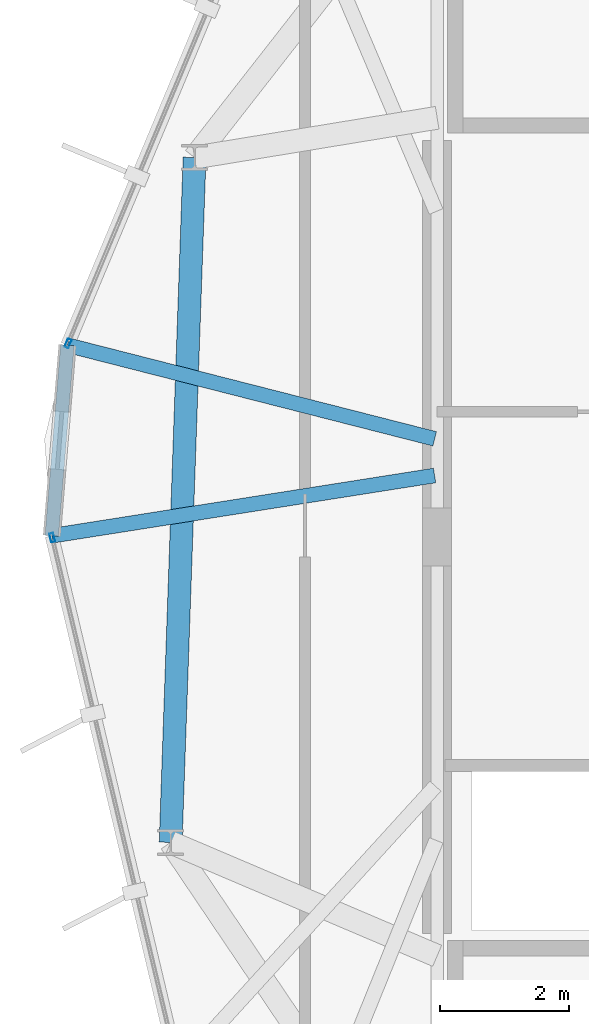
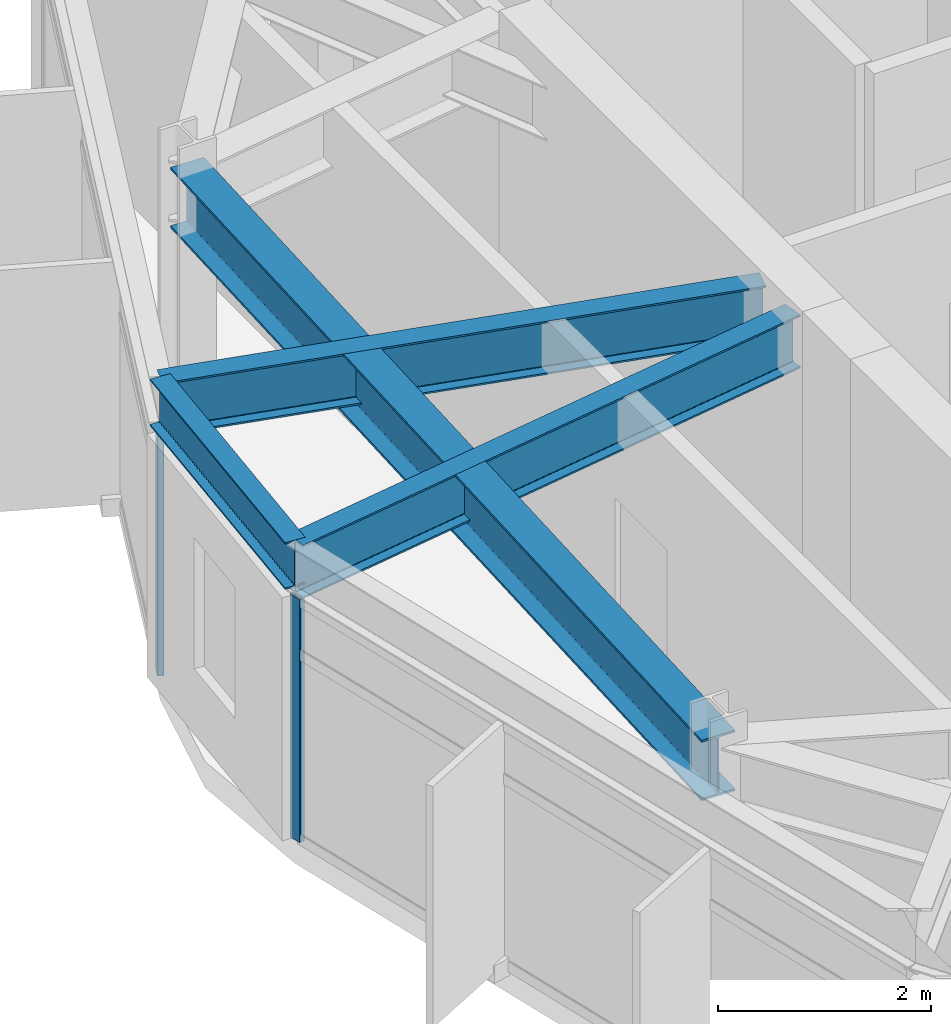
# One storey, part 7 of 23: 4 beams, 2 members, 2 elements without a shape of their own.
"""IFC4 building model written with IfcOpenShell, lengths in metres."""

from ifc_helpers import new_model, si_unit, direction, frame, origin, origin_2d, place, context, subcontext, project, spatial, hollow_rectangle, i_section, extrude, material, layer, layer_set, material_profile, profile_set, type_object, element, aggregate, save


model = new_model("IFC4")

# Units and contexts
model_context = context("Model", 3, precision=1e-05, world=origin(), true_north=direction((0.0, 1.0)))
body_context = subcontext(model_context, "Body", "Model", "MODEL_VIEW")
ifc_project = project(units=[si_unit("LENGTHUNIT", "METRE"), si_unit("AREAUNIT", "SQUARE_METRE"), si_unit("VOLUMEUNIT", "CUBIC_METRE"), si_unit("PLANEANGLEUNIT", "RADIAN"), si_unit("MASSUNIT", "GRAM", prefix="KILO")], contexts=[model_context])

# Site, building, storey
site_placement = place(None, origin())
site = spatial("IfcSite", under=ifc_project, at=site_placement, CompositionType="ELEMENT")
building_placement = place(site_placement, origin())
building = spatial("IfcBuilding", under=site, at=building_placement, Name="Soratama Intermodal Tower", CompositionType="ELEMENT")
storey_placement = place(building_placement, frame((0.0, 0.0, 280.0)))
storey = spatial("IfcBuildingStorey", under=building, at=storey_placement, Name="L71", CompositionType="ELEMENT", Elevation=280.0)

# Beams
ifc_material_1 = material(Name="Structural steel ASTM A992 Grade 50", Category="steel")
ifc_material_profile_1 = material_profile(ifc_material_1, i_section(OverallWidth=0.35498046875, OverallDepth=0.695068359375, WebThickness=0.015380859375, FlangeThickness=0.02490234375, FilletRadius=0.01611328125, at=origin_2d()), Name="W27X146")
ifc_profile_set_1 = profile_set([ifc_material_profile_1], Name="Structural steel ASTM A992 Grade 50")
beam_type_1 = type_object("IfcBeamType", Name="BM-RING-W27X146", PredefinedType="BEAM", material=ifc_profile_set_1)
beam_1_placement = place(storey_placement, frame((28.8369140625, 30.883056640625, 3.0625), z_axis=(-0.034885453879, -0.999391317307, 0.0), x_axis=(0.999391317307, -0.034885453879, 0.0)))
element("IfcBeam", 1, at=beam_1_placement, inside=storey, type_object=beam_type_1, Name="BM-L71-RING-05", PredefinedType="BEAM", context=body_context, shape_type="SweptSolid", body=[
    extrude(i_section(OverallWidth=0.35498046875, OverallDepth=0.695068359375, WebThickness=0.015380859375, FlangeThickness=0.02490234375, FilletRadius=0.01611328125, at=origin_2d()), origin(), (0.0, 0.0, 1.0), 10.630615234375),
])
ifc_material_2 = material(Name="Structural steel ASTM A992 Grade 50", Category="steel")
ifc_material_profile_2 = material_profile(ifc_material_2, i_section(OverallWidth=0.2099609375, OverallDepth=0.537109375, WebThickness=0.010986328125, FlangeThickness=0.017333984375, FilletRadius=0.012939453125, at=origin_2d()), Name="W21X68")
ifc_profile_set_2 = profile_set([ifc_material_profile_2], Name="Structural steel ASTM A992 Grade 50")
beam_type_2 = type_object("IfcBeamType", Name="BM-SPN-W21X68", PredefinedType="SPANDREL", material=ifc_profile_set_2)
beam_2_placement = place(storey_placement, frame((26.864013671875, 27.972900390625, 3.1416015625), z_axis=(-0.081553869603, -0.99666893518, 0.0), x_axis=(0.99666893518, -0.081553869603, 0.0)))
element("IfcBeam", 2, at=beam_2_placement, inside=storey, type_object=beam_type_2, Name="BS-L71-CRN03", PredefinedType="SPANDREL", context=body_context, shape_type="SweptSolid", body=[
    extrude(i_section(OverallWidth=0.2099609375, OverallDepth=0.537109375, WebThickness=0.010986328125, FlangeThickness=0.017333984375, FilletRadius=0.012939453125, at=origin_2d()), origin(), (0.0, 0.0, 1.0), 2.966552734375),
])
ifc_material_3 = material(Name="Structural steel ASTM A992 Grade 50", Category="steel")
ifc_material_profile_3 = material_profile(ifc_material_3, i_section(OverallWidth=0.22900390625, OverallDepth=0.612060546875, WebThickness=0.011962890625, FlangeThickness=0.01953125, FilletRadius=0.012939453125, at=origin_2d()), Name="W24X84")
ifc_profile_set_3 = profile_set([ifc_material_profile_3], Name="Structural steel ASTM A992 Grade 50")
beam_type_3 = type_object("IfcBeamType", Name="BM-TIE-W24X84", PredefinedType="BEAM", material=ifc_profile_set_3)
beam_3_placement = place(storey_placement, frame((32.56103515625, 26.52001953125, 3.10400390625), z_axis=(-0.968986076022, 0.247115326266, 0.0), x_axis=(-0.247115326266, -0.968986076022, 0.0)))
element("IfcBeam", 3, at=beam_3_placement, inside=storey, type_object=beam_type_3, Name="BM-L71-TIE1-03", PredefinedType="BEAM", context=body_context, shape_type="SweptSolid", body=[
    extrude(i_section(OverallWidth=0.22900390625, OverallDepth=0.612060546875, WebThickness=0.011962890625, FlangeThickness=0.01953125, FilletRadius=0.012939453125, at=origin_2d()), origin(), (0.0, 0.0, 1.0), 5.87939453125),
])
beam_4_placement = place(storey_placement, frame((32.56005859375, 25.950927734375, 3.10400390625), z_axis=(-0.987833665059, -0.15551414783, 0.0), x_axis=(0.15551414783, -0.987833665059, 0.0)))
element("IfcBeam", 4, at=beam_4_placement, inside=storey, type_object=beam_type_3, Name="BM-L71-TIE0-04", PredefinedType="BEAM", context=body_context, shape_type="SweptSolid", body=[
    extrude(i_section(OverallWidth=0.22900390625, OverallDepth=0.612060546875, WebThickness=0.011962890625, FlangeThickness=0.01953125, FilletRadius=0.012939453125, at=origin_2d()), origin(), (0.0, 0.0, 1.0), 6.01123046875),
])

# Curtain wall, member
ifc_material_4 = material(Name="Double-glazed aluminium curtain wall", Category="aluminium")
ifc_layer = layer(ifc_material_4, 0.159912109375)
ifc_layer_set = layer_set([ifc_layer], Name="Double-glazed aluminium curtain wall")
curtain_wall_type = type_object("IfcCurtainWallType", Name="CW-SYS-5", PredefinedType="NOTDEFINED", material=ifc_layer_set)
curtain_wall_1_placement = place(storey_placement, origin())
curtain_wall_1 = element("IfcCurtainWall", 5, at=curtain_wall_1_placement, inside=storey, type_object=curtain_wall_type, Name="L71 Faceted Curtain Wall F03", PredefinedType="NOTDEFINED")
ifc_material_5 = material(Name="Anodised aluminium AA 6063-T6", Category="aluminium")
ifc_material_profile_4 = material_profile(ifc_material_5, hollow_rectangle(XDim=0.06494140625, YDim=0.139892578125, WallThickness=0.0048828125, InnerFilletRadius=0.0048828125, OuterFilletRadius=0.010009765625, at=origin_2d()), Name="CWM140X65X5")
ifc_profile_set_4 = profile_set([ifc_material_profile_4], Name="Anodised aluminium AA 6063-T6")
member_type = type_object("IfcMemberType", Name="MT-CWM-5", PredefinedType="MULLION", material=ifc_profile_set_4)
member_1_placement = place(storey_placement, frame((26.87548828125, 28.00048828125, 0.0), z_axis=(0.0, 0.0, 1.0), x_axis=(0.922673346842, -0.385582539838, 0.0)))
member_1 = element("IfcMember", 6, at=member_1_placement, type_object=member_type, Name="CW-5 mullion 2", PredefinedType="MULLION", context=body_context, shape_type="SweptSolid", body=[
    extrude(hollow_rectangle(XDim=0.06494140625, YDim=0.139892578125, WallThickness=0.0048828125, InnerFilletRadius=0.0048828125, OuterFilletRadius=0.010009765625, at=origin_2d()), origin(), (0.0, 0.0, 1.0), 2.7890625),
])
aggregate(curtain_wall_1, [member_1])

curtain_wall_2_placement = place(storey_placement, origin())
curtain_wall_2 = element("IfcCurtainWall", 7, at=curtain_wall_2_placement, inside=storey, type_object=curtain_wall_type, Name="L71 Faceted Curtain Wall F04", PredefinedType="NOTDEFINED")
member_2_placement = place(storey_placement, frame((26.62890625, 24.987060546875, 0.0), z_axis=(0.0, 0.0, 1.0), x_axis=(0.973097295915, 0.230394558711, 0.0)))
member_2 = element("IfcMember", 8, at=member_2_placement, type_object=member_type, Name="CW-5 mullion 1", PredefinedType="MULLION", context=body_context, shape_type="SweptSolid", body=[
    extrude(hollow_rectangle(XDim=0.06494140625, YDim=0.139892578125, WallThickness=0.0048828125, InnerFilletRadius=0.0048828125, OuterFilletRadius=0.010009765625, at=origin_2d()), origin(), (0.0, 0.0, 1.0), 2.7890625),
])
aggregate(curtain_wall_2, [member_2])

save(model, "model.ifc")
